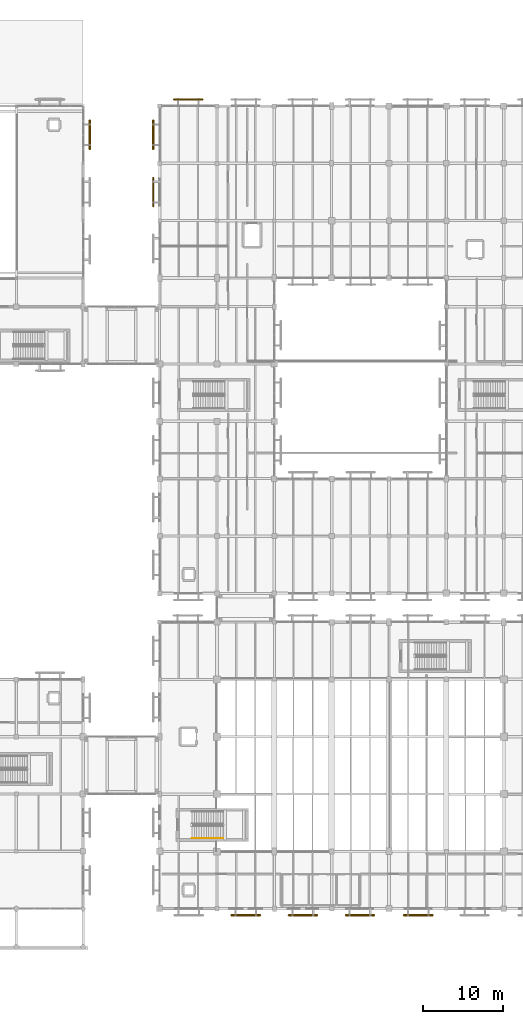
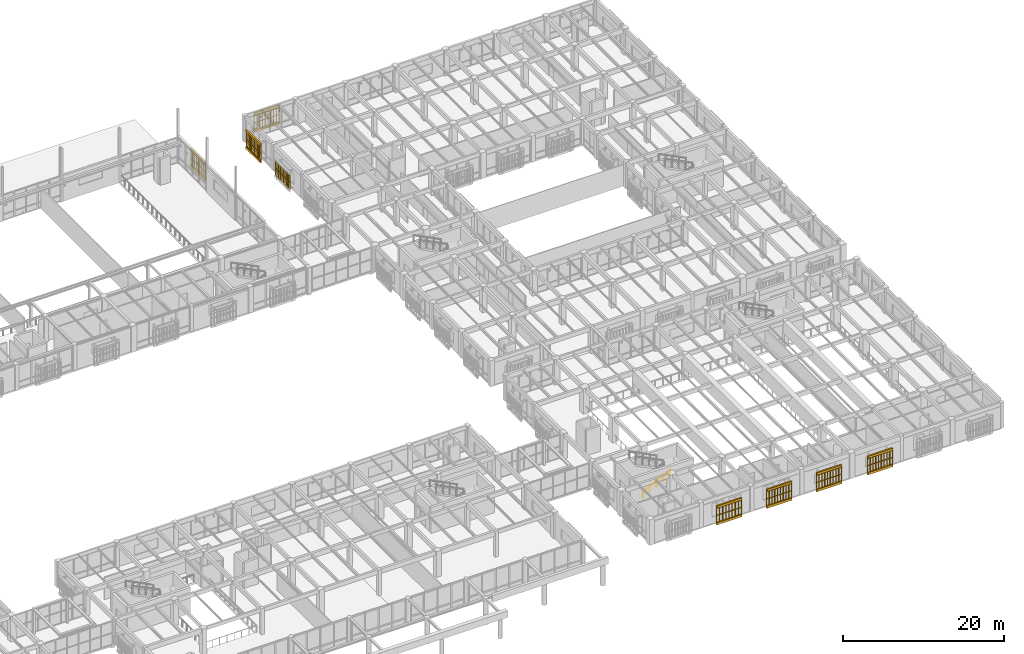
# One storey, part 162 of 170: 17 railings, 14 coverings.
"""IFC4 building model written with IfcOpenShell, lengths in metres."""

from ifc_helpers import new_model, si_unit, direction, frame, origin, origin_2d, place, context, subcontext, project, spatial, polyline, circle, outline, extrude, material, layer, layer_set, type_object, element, save


model = new_model("IFC4")

# Units and contexts
model_context = context("Model", 3, precision=1e-05, world=origin(), true_north=direction((0.0, 1.0)))
body_context = subcontext(model_context, "Body", "Model", "MODEL_VIEW")
ifc_project = project(units=[si_unit("LENGTHUNIT", "METRE"), si_unit("AREAUNIT", "SQUARE_METRE"), si_unit("VOLUMEUNIT", "CUBIC_METRE"), si_unit("PLANEANGLEUNIT", "RADIAN"), si_unit("MASSUNIT", "GRAM", prefix="KILO")], contexts=[model_context])

# Site, building, storey
site_placement = place(None, origin())
site = spatial("IfcSite", under=ifc_project, at=site_placement, CompositionType="ELEMENT")
building_placement = place(site_placement, origin())
building = spatial("IfcBuilding", under=site, at=building_placement, Name="Mazaris Harbour Polytechnic", CompositionType="ELEMENT")
storey_placement = place(building_placement, frame((0.0, 0.0, 5.39990234375)))
storey = spatial("IfcBuildingStorey", under=building, at=storey_placement, Name="L01", CompositionType="ELEMENT", Elevation=5.39990234375)

# Railings
ifc_material_1 = material(Name="Perforated Earth-Coloured Terracotta Block", Category="masonry")
railing_type_1 = type_object("IfcRailingType", Name="Perforated Earth-Block Claustra Lattice 1040", PredefinedType="BALUSTRADE", material=ifc_material_1)
for number, where, name in (
    (1, (113.6201171875, 106.18994140625, 0.52001953125), "V1 L01 Lower Perforated Terracotta Block Screen 23"),
    (2, (113.6201171875, 106.18994140625, 1.610107421875), "V1 L01 Upper Perforated Terracotta Block Screen 23"),
):
    element("IfcRailing", number, at=place(storey_placement, frame(where)), inside=storey, type_object=railing_type_1, Name=name, PredefinedType="BALUSTRADE", context=body_context, shape_type="SweptSolid", body=[
        extrude(circle(Radius=0.06982421875, at=origin_2d()), frame((0.0, 0.0, 1.02001953125), z_axis=(0.0, -1.0, 0.0), x_axis=(1.0, 0.0, 0.0)), (0.0, 0.0, 1.0), 3.599853515625),
        extrude(circle(Radius=0.074951171875, at=origin_2d()), origin(), (0.0, 0.0, 1.0), 0.9501953125),
        extrude(circle(Radius=0.074951171875, at=origin_2d()), frame((0.0, -0.449951171875, 0.0)), (0.0, 0.0, 1.0), 0.9501953125),
        extrude(circle(Radius=0.074951171875, at=origin_2d()), frame((0.0, -0.89990234375, 0.0)), (0.0, 0.0, 1.0), 0.9501953125),
        extrude(circle(Radius=0.074951171875, at=origin_2d()), frame((0.0, -1.349853515625, 0.0)), (0.0, 0.0, 1.0), 0.9501953125),
        extrude(circle(Radius=0.074951171875, at=origin_2d()), frame((0.0, -1.7998046875, 0.0)), (0.0, 0.0, 1.0), 0.9501953125),
        extrude(circle(Radius=0.074951171875, at=origin_2d()), frame((0.0, -2.25, 0.0)), (0.0, 0.0, 1.0), 0.9501953125),
        extrude(circle(Radius=0.074951171875, at=origin_2d()), frame((0.0, -2.699951171875, 0.0)), (0.0, 0.0, 1.0), 0.9501953125),
        extrude(circle(Radius=0.074951171875, at=origin_2d()), frame((0.0, -3.14990234375, 0.0)), (0.0, 0.0, 1.0), 0.9501953125),
        extrude(circle(Radius=0.074951171875, at=origin_2d()), frame((0.0, -3.599853515625, 0.0)), (0.0, 0.0, 1.0), 0.9501953125),
    ])
for number, where, name in (
    (3, (135.012451171875, 6.3798828125, 0.52001953125), "V2 L01 Lower Perforated Terracotta Block Screen 46"),
    (4, (135.012451171875, 6.3798828125, 1.610107421875), "V2 L01 Upper Perforated Terracotta Block Screen 46"),
):
    element("IfcRailing", number, at=place(storey_placement, frame(where)), inside=storey, type_object=railing_type_1, Name=name, PredefinedType="BALUSTRADE", context=body_context, shape_type="SweptSolid", body=[
        extrude(circle(Radius=0.06982421875, at=origin_2d()), frame((0.0, 0.0, 1.02001953125), z_axis=(-1.0, 0.0, 0.0), x_axis=(0.0, -1.0, 0.0)), (0.0, 0.0, 1.0), 3.599853515625),
        extrude(circle(Radius=0.074951171875, at=origin_2d()), origin(), (0.0, 0.0, 1.0), 0.9501953125),
        extrude(circle(Radius=0.074951171875, at=origin_2d()), frame((-0.449951171875, 0.0, 0.0)), (0.0, 0.0, 1.0), 0.9501953125),
        extrude(circle(Radius=0.074951171875, at=origin_2d()), frame((-0.89990234375, 0.0, 0.0)), (0.0, 0.0, 1.0), 0.9501953125),
        extrude(circle(Radius=0.074951171875, at=origin_2d()), frame((-1.349853515625, 0.0, 0.0)), (0.0, 0.0, 1.0), 0.9501953125),
        extrude(circle(Radius=0.074951171875, at=origin_2d()), frame((-1.7998046875, 0.0, 0.0)), (0.0, 0.0, 1.0), 0.9501953125),
        extrude(circle(Radius=0.074951171875, at=origin_2d()), frame((-2.25, 0.0, 0.0)), (0.0, 0.0, 1.0), 0.9501953125),
        extrude(circle(Radius=0.074951171875, at=origin_2d()), frame((-2.699951171875, 0.0, 0.0)), (0.0, 0.0, 1.0), 0.9501953125),
        extrude(circle(Radius=0.074951171875, at=origin_2d()), frame((-3.14990234375, 0.0, 0.0)), (0.0, 0.0, 1.0), 0.9501953125),
        extrude(circle(Radius=0.074951171875, at=origin_2d()), frame((-3.599853515625, 0.0, 0.0)), (0.0, 0.0, 1.0), 0.9501953125),
    ])
for number, where, name in (
    (5, (142.1875, 6.3798828125, 0.52001953125), "V2 L01 Lower Perforated Terracotta Block Screen 47"),
    (6, (142.1875, 6.3798828125, 1.610107421875), "V2 L01 Upper Perforated Terracotta Block Screen 47"),
    (7, (149.35009765625, 6.3798828125, 0.52001953125), "V2 L01 Lower Perforated Terracotta Block Screen 48"),
    (8, (149.35009765625, 6.3798828125, 1.610107421875), "V2 L01 Upper Perforated Terracotta Block Screen 48"),
):
    element("IfcRailing", number, at=place(storey_placement, frame(where)), inside=storey, type_object=railing_type_1, Name=name, PredefinedType="BALUSTRADE", context=body_context, shape_type="SweptSolid", body=[
        extrude(circle(Radius=0.06982421875, at=origin_2d()), frame((0.0, 0.0, 1.02001953125), z_axis=(-1.0, 0.0, 0.0), x_axis=(0.0, -1.0, 0.0)), (0.0, 0.0, 1.0), 3.60009765625),
        extrude(circle(Radius=0.074951171875, at=origin_2d()), origin(), (0.0, 0.0, 1.0), 0.9501953125),
        extrude(circle(Radius=0.074951171875, at=origin_2d()), frame((-0.39990234375, 0.0, 0.0)), (0.0, 0.0, 1.0), 0.9501953125),
        extrude(circle(Radius=0.074951171875, at=origin_2d()), frame((-0.800048828125, 0.0, 0.0)), (0.0, 0.0, 1.0), 0.9501953125),
        extrude(circle(Radius=0.074951171875, at=origin_2d()), frame((-1.199951171875, 0.0, 0.0)), (0.0, 0.0, 1.0), 0.9501953125),
        extrude(circle(Radius=0.074951171875, at=origin_2d()), frame((-1.60009765625, 0.0, 0.0)), (0.0, 0.0, 1.0), 0.9501953125),
        extrude(circle(Radius=0.074951171875, at=origin_2d()), frame((-2.0, 0.0, 0.0)), (0.0, 0.0, 1.0), 0.9501953125),
        extrude(circle(Radius=0.074951171875, at=origin_2d()), frame((-2.400146484375, 0.0, 0.0)), (0.0, 0.0, 1.0), 0.9501953125),
        extrude(circle(Radius=0.074951171875, at=origin_2d()), frame((-2.800048828125, 0.0, 0.0)), (0.0, 0.0, 1.0), 0.9501953125),
        extrude(circle(Radius=0.074951171875, at=origin_2d()), frame((-3.2001953125, 0.0, 0.0)), (0.0, 0.0, 1.0), 0.9501953125),
        extrude(circle(Radius=0.074951171875, at=origin_2d()), frame((-3.60009765625, 0.0, 0.0)), (0.0, 0.0, 1.0), 0.9501953125),
    ])
for number, where, name in (
    (9, (156.675048828125, 6.3798828125, 0.52001953125), "V2 L01 Lower Perforated Terracotta Block Screen 49"),
    (10, (156.675048828125, 6.3798828125, 1.585205078125), "V2 L01 Upper Perforated Terracotta Block Screen 49"),
):
    element("IfcRailing", number, at=place(storey_placement, frame(where)), inside=storey, type_object=railing_type_1, Name=name, PredefinedType="BALUSTRADE", context=body_context, shape_type="SweptSolid", body=[
        extrude(circle(Radius=0.06982421875, at=origin_2d()), frame((0.0, 0.0, 0.9951171875), z_axis=(-1.0, 0.0, 0.0), x_axis=(0.0, -1.0, 0.0)), (0.0, 0.0, 1.0), 3.60009765625),
        extrude(circle(Radius=0.074951171875, at=origin_2d()), origin(), (0.0, 0.0, 1.0), 0.925048828125),
        extrude(circle(Radius=0.074951171875, at=origin_2d()), frame((-0.39990234375, 0.0, 0.0)), (0.0, 0.0, 1.0), 0.925048828125),
        extrude(circle(Radius=0.074951171875, at=origin_2d()), frame((-0.800048828125, 0.0, 0.0)), (0.0, 0.0, 1.0), 0.925048828125),
        extrude(circle(Radius=0.074951171875, at=origin_2d()), frame((-1.199951171875, 0.0, 0.0)), (0.0, 0.0, 1.0), 0.925048828125),
        extrude(circle(Radius=0.074951171875, at=origin_2d()), frame((-1.60009765625, 0.0, 0.0)), (0.0, 0.0, 1.0), 0.925048828125),
        extrude(circle(Radius=0.074951171875, at=origin_2d()), frame((-2.0, 0.0, 0.0)), (0.0, 0.0, 1.0), 0.925048828125),
        extrude(circle(Radius=0.074951171875, at=origin_2d()), frame((-2.400146484375, 0.0, 0.0)), (0.0, 0.0, 1.0), 0.925048828125),
        extrude(circle(Radius=0.074951171875, at=origin_2d()), frame((-2.800048828125, 0.0, 0.0)), (0.0, 0.0, 1.0), 0.925048828125),
        extrude(circle(Radius=0.074951171875, at=origin_2d()), frame((-3.2001953125, 0.0, 0.0)), (0.0, 0.0, 1.0), 0.925048828125),
        extrude(circle(Radius=0.074951171875, at=origin_2d()), frame((-3.60009765625, 0.0, 0.0)), (0.0, 0.0, 1.0), 0.925048828125),
    ])
for number, where, name in (
    (11, (124.199951171875, 108.820068359375, 0.52001953125), "V5 L01 Lower Perforated Terracotta Block Screen 372"),
    (12, (124.199951171875, 108.820068359375, 1.610107421875), "V5 L01 Upper Perforated Terracotta Block Screen 372"),
):
    element("IfcRailing", number, at=place(storey_placement, frame(where)), inside=storey, type_object=railing_type_1, Name=name, PredefinedType="BALUSTRADE", context=body_context, shape_type="SweptSolid", body=[
        extrude(circle(Radius=0.06982421875, at=origin_2d()), frame((0.0, 0.0, 1.02001953125), z_axis=(1.0, 0.0, 0.0), x_axis=(0.0, 1.0, 0.0)), (0.0, 0.0, 1.0), 3.60009765625),
        extrude(circle(Radius=0.074951171875, at=origin_2d()), origin(), (0.0, 0.0, 1.0), 0.9501953125),
        extrude(circle(Radius=0.074951171875, at=origin_2d()), frame((0.39990234375, 0.0, 0.0)), (0.0, 0.0, 1.0), 0.9501953125),
        extrude(circle(Radius=0.074951171875, at=origin_2d()), frame((0.800048828125, 0.0, 0.0)), (0.0, 0.0, 1.0), 0.9501953125),
        extrude(circle(Radius=0.074951171875, at=origin_2d()), frame((1.199951171875, 0.0, 0.0)), (0.0, 0.0, 1.0), 0.9501953125),
        extrude(circle(Radius=0.074951171875, at=origin_2d()), frame((1.60009765625, 0.0, 0.0)), (0.0, 0.0, 1.0), 0.9501953125),
        extrude(circle(Radius=0.074951171875, at=origin_2d()), frame((2.0, 0.0, 0.0)), (0.0, 0.0, 1.0), 0.9501953125),
        extrude(circle(Radius=0.074951171875, at=origin_2d()), frame((2.400146484375, 0.0, 0.0)), (0.0, 0.0, 1.0), 0.9501953125),
        extrude(circle(Radius=0.074951171875, at=origin_2d()), frame((2.800048828125, 0.0, 0.0)), (0.0, 0.0, 1.0), 0.9501953125),
        extrude(circle(Radius=0.074951171875, at=origin_2d()), frame((3.2001953125, 0.0, 0.0)), (0.0, 0.0, 1.0), 0.9501953125),
        extrude(circle(Radius=0.074951171875, at=origin_2d()), frame((3.60009765625, 0.0, 0.0)), (0.0, 0.0, 1.0), 0.9501953125),
    ])
for number, where, name in (
    (13, (121.580078125, 95.387451171875, 0.52001953125), "V5 L01 Lower Perforated Terracotta Block Screen 384"),
    (14, (121.580078125, 95.387451171875, 1.610107421875), "V5 L01 Upper Perforated Terracotta Block Screen 384"),
    (15, (121.580078125, 102.58740234375, 0.52001953125), "V5 L01 Lower Perforated Terracotta Block Screen 385"),
    (16, (121.580078125, 102.58740234375, 1.610107421875), "V5 L01 Upper Perforated Terracotta Block Screen 385"),
):
    element("IfcRailing", number, at=place(storey_placement, frame(where)), inside=storey, type_object=railing_type_1, Name=name, PredefinedType="BALUSTRADE", context=body_context, shape_type="SweptSolid", body=[
        extrude(circle(Radius=0.06982421875, at=origin_2d()), frame((0.0, 0.0, 1.02001953125), z_axis=(0.0, 1.0, 0.0), x_axis=(-1.0, 0.0, 0.0)), (0.0, 0.0, 1.0), 3.60009765625),
        extrude(circle(Radius=0.074951171875, at=origin_2d()), origin(), (0.0, 0.0, 1.0), 0.9501953125),
        extrude(circle(Radius=0.074951171875, at=origin_2d()), frame((0.0, 0.39990234375, 0.0)), (0.0, 0.0, 1.0), 0.9501953125),
        extrude(circle(Radius=0.074951171875, at=origin_2d()), frame((0.0, 0.800048828125, 0.0)), (0.0, 0.0, 1.0), 0.9501953125),
        extrude(circle(Radius=0.074951171875, at=origin_2d()), frame((0.0, 1.199951171875, 0.0)), (0.0, 0.0, 1.0), 0.9501953125),
        extrude(circle(Radius=0.074951171875, at=origin_2d()), frame((0.0, 1.60009765625, 0.0)), (0.0, 0.0, 1.0), 0.9501953125),
        extrude(circle(Radius=0.074951171875, at=origin_2d()), frame((0.0, 2.0, 0.0)), (0.0, 0.0, 1.0), 0.9501953125),
        extrude(circle(Radius=0.074951171875, at=origin_2d()), frame((0.0, 2.400146484375, 0.0)), (0.0, 0.0, 1.0), 0.9501953125),
        extrude(circle(Radius=0.074951171875, at=origin_2d()), frame((0.0, 2.800048828125, 0.0)), (0.0, 0.0, 1.0), 0.9501953125),
        extrude(circle(Radius=0.074951171875, at=origin_2d()), frame((0.0, 3.2001953125, 0.0)), (0.0, 0.0, 1.0), 0.9501953125),
        extrude(circle(Radius=0.074951171875, at=origin_2d()), frame((0.0, 3.60009765625, 0.0)), (0.0, 0.0, 1.0), 0.9501953125),
    ])
ifc_material_2 = material(Name="Stainless Steel S355", Category="steel")
railing_type_2 = type_object("IfcRailingType", Name="Stair Wall Handrail 900", PredefinedType="HANDRAIL", material=ifc_material_2)
railing_placement = place(storey_placement, frame((126.449951171875, 16.050048828125, 0.150146484375)))
element("IfcRailing", 17, at=railing_placement, inside=storey, type_object=railing_type_2, Name="L01 ST03 stair handrail 1", PredefinedType="HANDRAIL", context=body_context, shape_type="SweptSolid", body=[
    extrude(circle(Radius=0.02392578125, at=origin_2d()), frame((0.0, 0.0, 0.8759765625), z_axis=(0.894438388696, 0.0, 0.447191199406), x_axis=(0.0, 1.0, 0.0)), (0.0, 0.0, 1.0), 4.3603515625),
    extrude(circle(Radius=0.02099609375, at=origin_2d()), origin(), (0.0, 0.0, 1.0), 0.851806640625),
    extrude(circle(Radius=0.02099609375, at=origin_2d()), frame((0.97509765625, 0.0, 0.487548828125)), (0.0, 0.0, 1.0), 0.851806640625),
    extrude(circle(Radius=0.02099609375, at=origin_2d()), frame((1.9501953125, 0.0, 0.97509765625)), (0.0, 0.0, 1.0), 0.851806640625),
    extrude(circle(Radius=0.02099609375, at=origin_2d()), frame((2.925048828125, 0.0, 1.46240234375)), (0.0, 0.0, 1.0), 0.851806640625),
    extrude(circle(Radius=0.02099609375, at=origin_2d()), frame((3.900146484375, 0.0, 1.949951171875)), (0.0, 0.0, 1.0), 0.851806640625),
])

# Coverings
ifc_material_3 = material(Name="Perforated Earth-Coloured Terracotta Block", Category="masonry")
ifc_layer = layer(ifc_material_3, 0.219970703125, Name="Perforated Earth-Coloured Terracotta Block")
ifc_layer_set = layer_set([ifc_layer], Name="Perforated Earth-Coloured Terracotta Block")
covering_type = type_object("IfcCoveringType", Name="Terracotta Screen Course Cladding 220", PredefinedType="CLADDING", material=ifc_layer_set)
covering_1_placement = place(storey_placement, frame((0.0, 0.0, 0.16015625)))
element("IfcCovering", 18, at=covering_1_placement, inside=storey, type_object=covering_type, Name="V1 L01 Perforated Screen Sill Course 23", PredefinedType="CLADDING", context=body_context, shape_type="SweptSolid", body=[
    extrude(outline(polyline([(113.510009765625, 106.18994140625), (113.510009765625, 102.590087890625), (113.72998046875, 102.590087890625), (113.72998046875, 106.18994140625), (113.510009765625, 106.18994140625)])), origin(), (0.0, 0.0, 1.0), 0.35986328125),
])
covering_2_placement = place(storey_placement, frame((0.0, 0.0, 2.7001953125)))
element("IfcCovering", 19, at=covering_2_placement, inside=storey, type_object=covering_type, Name="V1 L01 Perforated Screen Lintel Course 23", PredefinedType="CLADDING", context=body_context, shape_type="SweptSolid", body=[
    extrude(outline(polyline([(113.510009765625, 106.18994140625), (113.510009765625, 102.590087890625), (113.72998046875, 102.590087890625), (113.72998046875, 106.18994140625), (113.510009765625, 106.18994140625)])), origin(), (0.0, 0.0, 1.0), 0.33984375),
])
covering_3_placement = place(storey_placement, frame((0.0, 0.0, 0.16015625)))
element("IfcCovering", 20, at=covering_3_placement, inside=storey, type_object=covering_type, Name="V2 L01 Perforated Screen Sill Course 46", PredefinedType="CLADDING", context=body_context, shape_type="SweptSolid", body=[
    extrude(outline(polyline([(135.012451171875, 6.489990234375), (131.41259765625, 6.489990234375), (131.41259765625, 6.27001953125), (135.012451171875, 6.27001953125), (135.012451171875, 6.489990234375)])), origin(), (0.0, 0.0, 1.0), 0.35986328125),
])
covering_4_placement = place(storey_placement, frame((0.0, 0.0, 2.7001953125)))
element("IfcCovering", 21, at=covering_4_placement, inside=storey, type_object=covering_type, Name="V2 L01 Perforated Screen Lintel Course 46", PredefinedType="CLADDING", context=body_context, shape_type="SweptSolid", body=[
    extrude(outline(polyline([(135.012451171875, 6.489990234375), (131.41259765625, 6.489990234375), (131.41259765625, 6.27001953125), (135.012451171875, 6.27001953125), (135.012451171875, 6.489990234375)])), origin(), (0.0, 0.0, 1.0), 0.33984375),
])
covering_5_placement = place(storey_placement, frame((0.0, 0.0, 0.16015625)))
element("IfcCovering", 22, at=covering_5_placement, inside=storey, type_object=covering_type, Name="V2 L01 Perforated Screen Sill Course 47", PredefinedType="CLADDING", context=body_context, shape_type="SweptSolid", body=[
    extrude(outline(polyline([(142.1875, 6.489990234375), (138.58740234375, 6.489990234375), (138.58740234375, 6.27001953125), (142.1875, 6.27001953125), (142.1875, 6.489990234375)])), origin(), (0.0, 0.0, 1.0), 0.35986328125),
])
covering_6_placement = place(storey_placement, frame((0.0, 0.0, 2.7001953125)))
element("IfcCovering", 23, at=covering_6_placement, inside=storey, type_object=covering_type, Name="V2 L01 Perforated Screen Lintel Course 47", PredefinedType="CLADDING", context=body_context, shape_type="SweptSolid", body=[
    extrude(outline(polyline([(142.1875, 6.489990234375), (138.58740234375, 6.489990234375), (138.58740234375, 6.27001953125), (142.1875, 6.27001953125), (142.1875, 6.489990234375)])), origin(), (0.0, 0.0, 1.0), 0.33984375),
])
covering_7_placement = place(storey_placement, frame((0.0, 0.0, 0.16015625)))
element("IfcCovering", 24, at=covering_7_placement, inside=storey, type_object=covering_type, Name="V2 L01 Perforated Screen Sill Course 48", PredefinedType="CLADDING", context=body_context, shape_type="SweptSolid", body=[
    extrude(outline(polyline([(149.35009765625, 6.489990234375), (145.75, 6.489990234375), (145.75, 6.27001953125), (149.35009765625, 6.27001953125), (149.35009765625, 6.489990234375)])), origin(), (0.0, 0.0, 1.0), 0.35986328125),
])
covering_8_placement = place(storey_placement, frame((0.0, 0.0, 2.7001953125)))
element("IfcCovering", 25, at=covering_8_placement, inside=storey, type_object=covering_type, Name="V2 L01 Perforated Screen Lintel Course 48", PredefinedType="CLADDING", context=body_context, shape_type="SweptSolid", body=[
    extrude(outline(polyline([(149.35009765625, 6.489990234375), (145.75, 6.489990234375), (145.75, 6.27001953125), (149.35009765625, 6.27001953125), (149.35009765625, 6.489990234375)])), origin(), (0.0, 0.0, 1.0), 0.33984375),
])
covering_9_placement = place(storey_placement, frame((0.0, 0.0, 0.16015625)))
element("IfcCovering", 26, at=covering_9_placement, inside=storey, type_object=covering_type, Name="V2 L01 Perforated Screen Sill Course 49", PredefinedType="CLADDING", context=body_context, shape_type="SweptSolid", body=[
    extrude(outline(polyline([(156.675048828125, 6.489990234375), (153.074951171875, 6.489990234375), (153.074951171875, 6.27001953125), (156.675048828125, 6.27001953125), (156.675048828125, 6.489990234375)])), origin(), (0.0, 0.0, 1.0), 0.35986328125),
])
covering_10_placement = place(storey_placement, frame((0.0, 0.0, 2.650146484375)))
element("IfcCovering", 27, at=covering_10_placement, inside=storey, type_object=covering_type, Name="V2 L01 Perforated Screen Lintel Course 49", PredefinedType="CLADDING", context=body_context, shape_type="SweptSolid", body=[
    extrude(outline(polyline([(156.675048828125, 6.489990234375), (153.074951171875, 6.489990234375), (153.074951171875, 6.27001953125), (156.675048828125, 6.27001953125), (156.675048828125, 6.489990234375)])), origin(), (0.0, 0.0, 1.0), 0.33984375),
])
covering_11_placement = place(storey_placement, frame((0.0, 0.0, 0.16015625)))
element("IfcCovering", 28, at=covering_11_placement, inside=storey, type_object=covering_type, Name="V5 L01 Perforated Screen Sill Course 372", PredefinedType="CLADDING", context=body_context, shape_type="SweptSolid", body=[
    extrude(outline(polyline([(124.199951171875, 108.7099609375), (127.800048828125, 108.7099609375), (127.800048828125, 108.929931640625), (124.199951171875, 108.929931640625), (124.199951171875, 108.7099609375)])), origin(), (0.0, 0.0, 1.0), 0.35986328125),
])
covering_12_placement = place(storey_placement, frame((0.0, 0.0, 2.7001953125)))
element("IfcCovering", 29, at=covering_12_placement, inside=storey, type_object=covering_type, Name="V5 L01 Perforated Screen Lintel Course 372", PredefinedType="CLADDING", context=body_context, shape_type="SweptSolid", body=[
    extrude(outline(polyline([(124.199951171875, 108.7099609375), (127.800048828125, 108.7099609375), (127.800048828125, 108.929931640625), (124.199951171875, 108.929931640625), (124.199951171875, 108.7099609375)])), origin(), (0.0, 0.0, 1.0), 0.33984375),
])
covering_13_placement = place(storey_placement, frame((0.0, 0.0, 0.16015625)))
element("IfcCovering", 30, at=covering_13_placement, inside=storey, type_object=covering_type, Name="V5 L01 Perforated Screen Sill Course 385", PredefinedType="CLADDING", context=body_context, shape_type="SweptSolid", body=[
    extrude(outline(polyline([(121.68994140625, 102.58740234375), (121.68994140625, 106.1875), (121.469970703125, 106.1875), (121.469970703125, 102.58740234375), (121.68994140625, 102.58740234375)])), origin(), (0.0, 0.0, 1.0), 0.35986328125),
])
covering_14_placement = place(storey_placement, frame((0.0, 0.0, 2.7001953125)))
element("IfcCovering", 31, at=covering_14_placement, inside=storey, type_object=covering_type, Name="V5 L01 Perforated Screen Lintel Course 385", PredefinedType="CLADDING", context=body_context, shape_type="SweptSolid", body=[
    extrude(outline(polyline([(121.68994140625, 102.58740234375), (121.68994140625, 106.1875), (121.469970703125, 106.1875), (121.469970703125, 102.58740234375), (121.68994140625, 102.58740234375)])), origin(), (0.0, 0.0, 1.0), 0.33984375),
])

save(model, "model.ifc")
